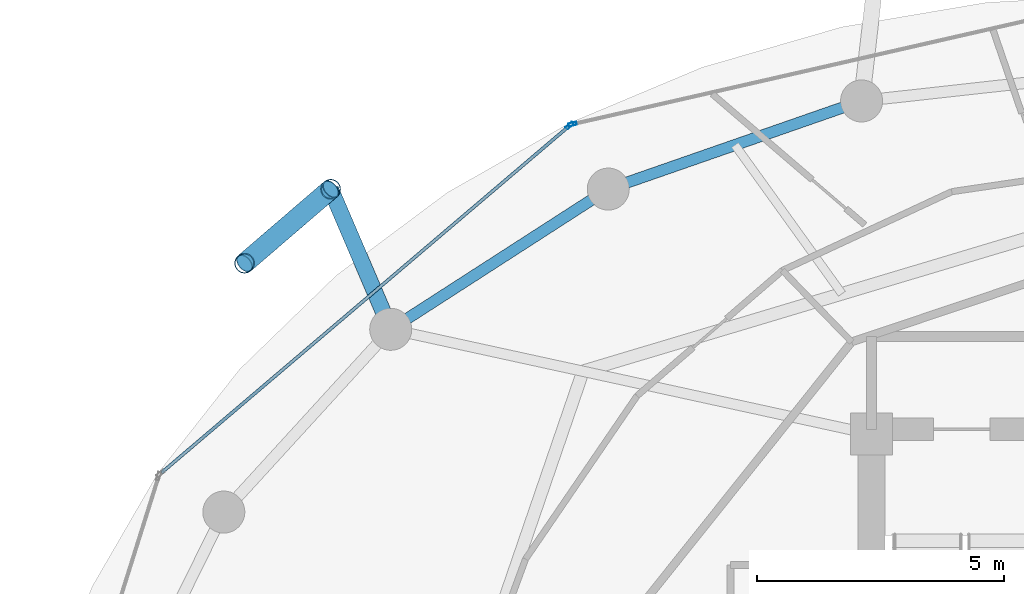
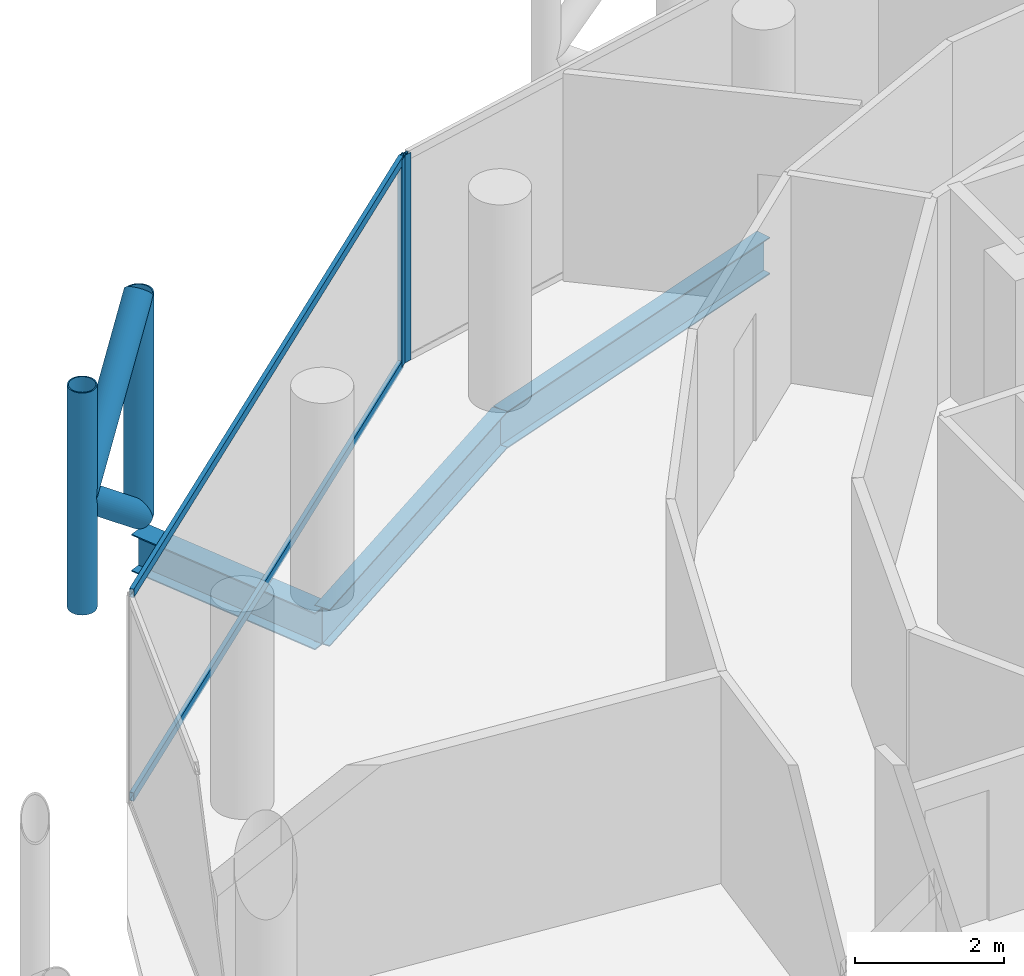
# One storey, part 18 of 27: 8 members, 3 beams, 2 elements without a shape of their own.
"""IFC4 building model written with IfcOpenShell, lengths in metres."""

from ifc_helpers import new_model, si_unit, direction, frame, origin, origin_2d, place, context, subcontext, project, spatial, hollow_rectangle, hollow_circle, i_section, extrude, material, layer, layer_set, material_profile, profile_set, type_object, element, aggregate, save


model = new_model("IFC4")

# Units and contexts
model_context = context("Model", 3, precision=1e-05, world=origin(), true_north=direction((0.0, 1.0)))
body_context = subcontext(model_context, "Body", "Model", "MODEL_VIEW")
ifc_project = project(units=[si_unit("LENGTHUNIT", "METRE"), si_unit("AREAUNIT", "SQUARE_METRE"), si_unit("VOLUMEUNIT", "CUBIC_METRE"), si_unit("PLANEANGLEUNIT", "RADIAN"), si_unit("MASSUNIT", "GRAM", prefix="KILO")], contexts=[model_context])

# Site, building, storey
site_placement = place(None, origin())
site = spatial("IfcSite", under=ifc_project, at=site_placement, CompositionType="ELEMENT")
building_placement = place(site_placement, origin())
building = spatial("IfcBuilding", under=site, at=building_placement, Name="Nuhasar Tower", CompositionType="ELEMENT")
storey_placement = place(building_placement, frame((0.0, 0.0, 241.0)))
storey = spatial("IfcBuildingStorey", under=building, at=storey_placement, Name="L59", CompositionType="ELEMENT", Elevation=241.0)

# Beams
ifc_material_1 = material(Name="Steel S355", Category="steel")
ifc_material_profile_1 = material_profile(ifc_material_1, i_section(OverallWidth=0.22802734375, OverallDepth=0.60791015625, WebThickness=0.01123046875, FlangeThickness=0.017333984375, at=origin_2d()), Name="W24X76")
ifc_profile_set_1 = profile_set([ifc_material_profile_1], Name="Steel S355")
beam_type_1 = type_object("IfcBeamType", Name="BM-RING-W24X76", PredefinedType="SPANDREL", material=ifc_profile_set_1)
beam_1_placement = place(storey_placement, frame((33.5, 44.0419921875, -0.5439453125), z_axis=(-0.944476764686, -0.328578211342, 0.0), x_axis=(0.328578211342, -0.944476764686, 0.0)))
element("IfcBeam", 1, at=beam_1_placement, inside=storey, type_object=beam_type_1, Name="L59 Perimeter Ring Spandrel 08", PredefinedType="SPANDREL", context=body_context, shape_type="SweptSolid", body=[
    extrude(i_section(OverallWidth=0.22802734375, OverallDepth=0.60791015625, WebThickness=0.01123046875, FlangeThickness=0.017333984375, at=origin_2d()), origin(), (0.0, 0.0, 1.0), 5.42626953125),
])
beam_2_placement = place(storey_placement, frame((28.375, 42.259033203125, -0.5439453125), z_axis=(-0.840502144969, -0.541808217272, 0.0), x_axis=(0.541808217272, -0.840502144969, 0.0)))
element("IfcBeam", 2, at=beam_2_placement, inside=storey, type_object=beam_type_1, Name="L59 Perimeter Ring Spandrel 09", PredefinedType="SPANDREL", context=body_context, shape_type="SweptSolid", body=[
    extrude(i_section(OverallWidth=0.22802734375, OverallDepth=0.60791015625, WebThickness=0.01123046875, FlangeThickness=0.017333984375, at=origin_2d()), origin(), (0.0, 0.0, 1.0), 5.236083984375),
])
ifc_material_profile_2 = material_profile(ifc_material_1, i_section(OverallWidth=0.323974609375, OverallDepth=0.611083984375, WebThickness=0.0126953125, FlangeThickness=0.01904296875, at=origin_2d()), Name="W24X104")
ifc_profile_set_2 = profile_set([ifc_material_profile_2], Name="Steel S355")
beam_type_2 = type_object("IfcBeamType", Name="BM-TIE-W24X104", PredefinedType="BEAM", material=ifc_profile_set_2)
beam_3_placement = place(storey_placement, frame((23.97412109375, 39.422119140625, -0.5458984375), z_axis=(-0.393680429682, 0.919247365667, 0.0), x_axis=(-0.919247365667, -0.393680429682, 0.0)))
element("IfcBeam", 3, at=beam_3_placement, inside=storey, type_object=beam_type_2, Name="L59 Exoskeleton Node Tie Beam 05", PredefinedType="BEAM", context=body_context, shape_type="SweptSolid", body=[
    extrude(i_section(OverallWidth=0.323974609375, OverallDepth=0.611083984375, WebThickness=0.0126953125, FlangeThickness=0.01904296875, at=origin_2d()), origin(), (0.0, 0.0, 1.0), 3.083984375),
])

# Curtain wall, member
ifc_material_2 = material(Name="Aluminium 6063-T6", Category="aluminium")
ifc_layer = layer(ifc_material_2, 0.18994140625)
ifc_layer_set = layer_set([ifc_layer], Name="Aluminium 6063-T6")
curtain_wall_type = type_object("IfcCurtainWallType", Name="CW-Z3-RES", PredefinedType="NOTDEFINED", material=ifc_layer_set)
curtain_wall_1_placement = place(storey_placement, origin())
curtain_wall_1 = element("IfcCurtainWall", 4, at=curtain_wall_1_placement, inside=storey, type_object=curtain_wall_type, Name="L59 Unitised Curtain Wall 04", PredefinedType="NOTDEFINED")
ifc_material_profile_3 = material_profile(ifc_material_2, hollow_rectangle(XDim=0.06494140625, YDim=0.169921875, WallThickness=0.0048828125, at=origin_2d()), Name="CWM-4")
ifc_profile_set_3 = profile_set([ifc_material_profile_3], Name="Aluminium 6063-T6")
member_type_1 = type_object("IfcMemberType", Name="CW-MUL-S4", PredefinedType="MULLION", material=ifc_profile_set_3)
member_1_placement = place(storey_placement, frame((27.651611328125, 43.5732421875, 0.0), z_axis=(0.0, 0.0, 1.0), x_axis=(0.222243176313, -0.974991266926, 0.0)))
member_1 = element("IfcMember", 5, at=member_1_placement, type_object=member_type_1, Name="CW-Z3 mullion 2", PredefinedType="MULLION", context=body_context, shape_type="SweptSolid", body=[
    extrude(hollow_rectangle(XDim=0.06494140625, YDim=0.169921875, WallThickness=0.0048828125, at=origin_2d()), origin(), (0.0, 0.0, 1.0), 3.409912109375),
])
aggregate(curtain_wall_1, [member_1])

# Curtain wall, members
curtain_wall_2_placement = place(storey_placement, origin())
curtain_wall_2 = element("IfcCurtainWall", 6, at=curtain_wall_2_placement, inside=storey, type_object=curtain_wall_type, Name="L59 Unitised Curtain Wall 05", PredefinedType="NOTDEFINED")
member_2_placement = place(storey_placement, frame((27.59521484375, 43.544921875, 0.0), z_axis=(0.0, 0.0, 1.0), x_axis=(0.64789521578, -0.761729472562, 0.0)))
member_2 = element("IfcMember", 7, at=member_2_placement, type_object=member_type_1, Name="CW-Z3 mullion 1", PredefinedType="MULLION", context=body_context, shape_type="SweptSolid", body=[
    extrude(hollow_rectangle(XDim=0.06494140625, YDim=0.169921875, WallThickness=0.0048828125, at=origin_2d()), origin(), (0.0, 0.0, 1.0), 3.409912109375),
])
ifc_material_profile_4 = material_profile(ifc_material_2, hollow_rectangle(XDim=0.06494140625, YDim=0.139892578125, WallThickness=0.00439453125, at=origin_2d()), Name="CWT-4")
ifc_profile_set_4 = profile_set([ifc_material_profile_4], Name="Aluminium 6063-T6")
member_type_2 = type_object("IfcMemberType", Name="CW-TRN-S4", PredefinedType="USERDEFINED", material=ifc_profile_set_4)
member_3_placement = place(storey_placement, frame((27.570556640625, 43.52392578125, 0.032470703125), z_axis=(-0.761730809511, -0.647893643928, 0.0), x_axis=(0.647893643928, -0.761730809511, 0.0)))
member_3 = element("IfcMember", 8, at=member_3_placement, type_object=member_type_2, Name="CW-Z3 transom 1.1", ObjectType="TRANSOM", PredefinedType="USERDEFINED", context=body_context, shape_type="SweptSolid", body=[
    extrude(hollow_rectangle(XDim=0.06494140625, YDim=0.139892578125, WallThickness=0.00439453125, at=origin_2d()), origin(), (0.0, 0.0, 1.0), 10.806884765625),
])
member_4_placement = place(storey_placement, frame((27.570556640625, 43.52392578125, 3.37744140625), z_axis=(-0.761730809511, -0.647893643928, 0.0), x_axis=(0.647893643928, -0.761730809511, 0.0)))
member_4 = element("IfcMember", 9, at=member_4_placement, type_object=member_type_2, Name="CW-Z3 transom 1.2", ObjectType="TRANSOM", PredefinedType="USERDEFINED", context=body_context, shape_type="SweptSolid", body=[
    extrude(hollow_rectangle(XDim=0.06494140625, YDim=0.139892578125, WallThickness=0.00439453125, at=origin_2d()), origin(), (0.0, 0.0, 1.0), 10.806884765625),
])
aggregate(curtain_wall_2, [member_2, member_3, member_4])

# Members
ifc_material_3 = material(Name="Steel S460", Category="steel")
ifc_material_profile_5 = material_profile(ifc_material_3, hollow_circle(Radius=0.203125, WallThickness=0.01904296875, at=origin_2d()), Name="HSS406.4X19.1")
ifc_profile_set_5 = profile_set([ifc_material_profile_5], Name="Steel S460")
member_type_3 = type_object("IfcMemberType", Name="EXO-BRONZE-406", PredefinedType="BRACE", material=ifc_profile_set_5)
for number, where, z_axis, x_axis, name in (
    (10, (22.760009765625, 42.257080078125, 0.0), (0.0, 0.0, 1.0), (1.0, 0.0, 0.0), "L59 Exoskeleton Chord Column EC-05A"),
    (11, (21.01611328125, 40.758056640625, 0.0), (0.0, 0.0, 1.0), (1.0, 0.0, 0.0), "L59 Exoskeleton Chord Column EC-05B"),
):
    element("IfcMember", number, at=place(storey_placement, frame(where, z_axis=z_axis, x_axis=x_axis)), inside=storey, type_object=member_type_3, Name=name, PredefinedType="BRACE", context=body_context, shape_type="SweptSolid", body=[
        extrude(hollow_circle(Radius=0.203125, WallThickness=0.01904296875, at=origin_2d()), origin(), (0.0, 0.0, 1.0), 3.64990234375),
    ])
for number, where, z_axis, x_axis, name in (
    (12, (22.760009765625, 42.257080078125, 0.0), (-0.594018535389, -0.510608120858, 0.621627964725), (0.65185738425, -0.758341579104, 0.0), "L59 Bronze Diagrid Brace W1-05"),
    (13, (21.01611328125, 40.758056640625, 1.824951171875), (0.594018535389, 0.510608120858, 0.621627964725), (-0.65185738425, 0.758341579104, 0.0), "L59 Bronze Diagrid Brace W2-05"),
):
    element("IfcMember", number, at=place(storey_placement, frame(where, z_axis=z_axis, x_axis=x_axis)), inside=storey, type_object=member_type_3, Name=name, PredefinedType="BRACE", context=body_context, shape_type="SweptSolid", body=[
        extrude(hollow_circle(Radius=0.203125, WallThickness=0.01904296875, at=origin_2d()), origin(), (0.0, 0.0, 1.0), 2.935791015625),
    ])

save(model, "model.ifc")
